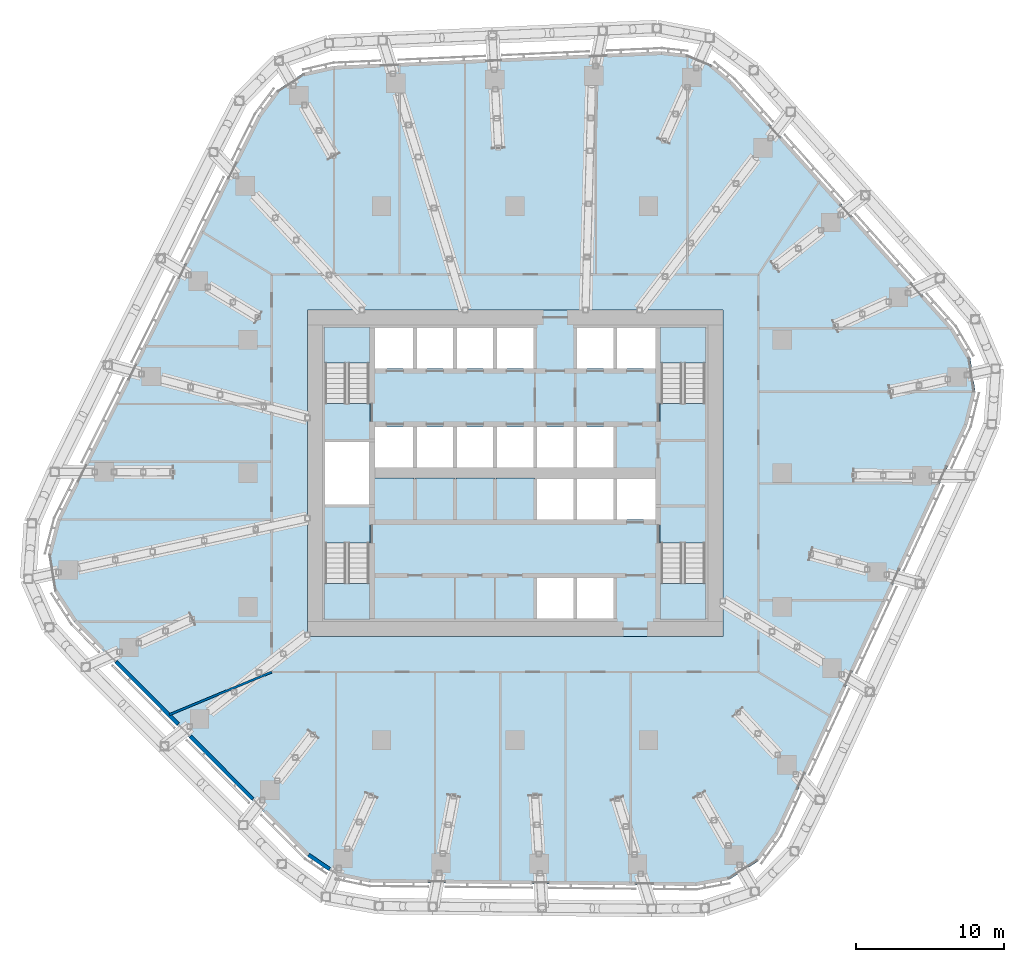
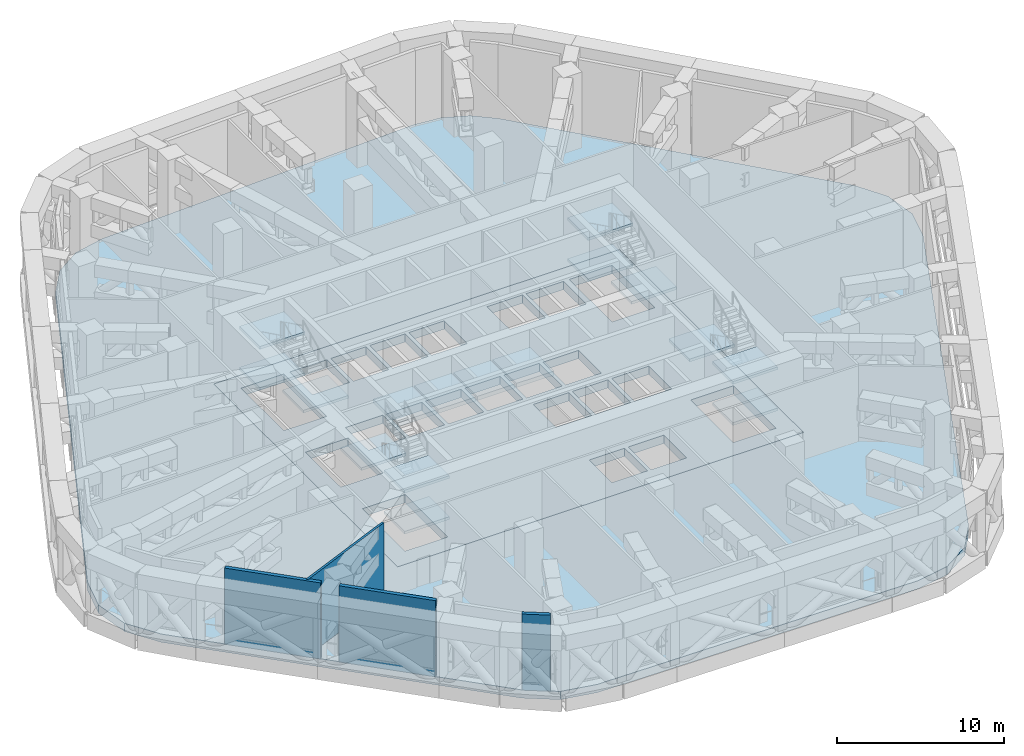
# One storey, part 15 of 30: 18 slabs, 4 walls, 4 elements without a shape of their own.
"""IFC4 building model written with IfcOpenShell, lengths in metres."""

from ifc_helpers import new_model, si_unit, direction, frame, frame_2d, origin, place, context, subcontext, project, spatial, polyline, rectangle, outline, extrude, material, layer, layer_set, type_object, element, aggregate, save


model = new_model("IFC4")

# Units and contexts
model_context = context("Model", 3, precision=1e-05, world=origin(), true_north=direction((0.0, 1.0)))
body_context = subcontext(model_context, "Body", "Model", "MODEL_VIEW")
ifc_project = project(units=[si_unit("LENGTHUNIT", "METRE"), si_unit("AREAUNIT", "SQUARE_METRE"), si_unit("VOLUMEUNIT", "CUBIC_METRE"), si_unit("PLANEANGLEUNIT", "RADIAN"), si_unit("MASSUNIT", "GRAM", prefix="KILO")], contexts=[model_context])

# Site, building, storey
site_placement = place(None, origin())
site = spatial("IfcSite", under=ifc_project, at=site_placement, CompositionType="ELEMENT")
building_placement = place(site_placement, origin())
building = spatial("IfcBuilding", under=site, at=building_placement, Name="Dongbaek Canopy Tower", CompositionType="ELEMENT")
storey_placement = place(building_placement, frame((0.0, 0.0, 145.60009765625)))
storey = spatial("IfcBuildingStorey", under=building, at=storey_placement, Name="L32", CompositionType="ELEMENT", Elevation=145.60009765625)

# Slab
ifc_material_1 = material(Name="Concrete C40/50", Category="concrete")
ifc_layer_1 = layer(ifc_material_1, 0.60009765625)
ifc_layer_set_1 = layer_set([ifc_layer_1], Name="Core floor slab 600 Concrete C40/50")
slab_type_1 = type_object("IfcSlabType", Name="Core floor slab 600 Concrete C40/50", PredefinedType="FLOOR", material=ifc_layer_set_1)
slab_1_placement = place(storey_placement, frame((0.0, 0.0, -0.60009765625)))
element("IfcSlab", 1, at=slab_1_placement, inside=storey, type_object=slab_type_1, Name="Core floor slab L32", PredefinedType="FLOOR", context=body_context, shape_type="SweptSolid", body=[
    extrude(outline(polyline([(14.0, -11.0), (14.0, 11.0), (-14.0, 11.0), (-14.0, -11.0), (14.0, -11.0)]), holes=[polyline([(-12.800048828125, 2.10009765625), (-9.85009765625, 2.10009765625), (-9.85009765625, -2.10009765625), (-12.800048828125, -2.10009765625), (-12.800048828125, 2.10009765625)]), polyline([(-6.875, 9.800048828125), (-6.875, 7.074951171875), (-9.449951171875, 7.074951171875), (-9.449951171875, 9.800048828125), (-6.875, 9.800048828125)]), polyline([(-4.175048828125, 9.800048828125), (-4.175048828125, 7.074951171875), (-6.625, 7.074951171875), (-6.625, 9.800048828125), (-4.175048828125, 9.800048828125)]), polyline([(-1.47509765625, 9.800048828125), (-1.47509765625, 7.074951171875), (-3.925048828125, 7.074951171875), (-3.925048828125, 9.800048828125), (-1.47509765625, 9.800048828125)]), polyline([(1.22509765625, 9.800048828125), (1.22509765625, 7.074951171875), (-1.22509765625, 7.074951171875), (-1.22509765625, 9.800048828125), (1.22509765625, 9.800048828125)]), polyline([(6.625, 9.800048828125), (6.625, 7.074951171875), (4.175048828125, 7.074951171875), (4.175048828125, 9.800048828125), (6.625, 9.800048828125)]), polyline([(9.449951171875, 7.074951171875), (6.875, 7.074951171875), (6.875, 9.800048828125), (9.449951171875, 9.800048828125), (9.449951171875, 7.074951171875)]), polyline([(-9.449951171875, 3.125), (-6.875, 3.125), (-6.875, 0.39990234375), (-9.449951171875, 0.39990234375), (-9.449951171875, 3.125)]), polyline([(-6.625, 3.125), (-4.175048828125, 3.125), (-4.175048828125, 0.39990234375), (-6.625, 0.39990234375), (-6.625, 3.125)]), polyline([(-3.925048828125, 3.125), (-1.47509765625, 3.125), (-1.47509765625, 0.39990234375), (-3.925048828125, 0.39990234375), (-3.925048828125, 3.125)]), polyline([(1.22509765625, 3.125), (1.22509765625, 0.39990234375), (-1.22509765625, 0.39990234375), (-1.22509765625, 3.125), (1.22509765625, 3.125)]), polyline([(1.47509765625, 3.125), (3.925048828125, 3.125), (3.925048828125, 0.39990234375), (1.47509765625, 0.39990234375), (1.47509765625, 3.125)]), polyline([(4.175048828125, 3.125), (6.625, 3.125), (6.625, 0.39990234375), (4.175048828125, 0.39990234375), (4.175048828125, 3.125)]), polyline([(1.47509765625, -0.39990234375), (3.925048828125, -0.39990234375), (3.925048828125, -3.125), (1.47509765625, -3.125), (1.47509765625, -0.39990234375)]), polyline([(4.175048828125, -0.39990234375), (6.625, -0.39990234375), (6.625, -3.125), (4.175048828125, -3.125), (4.175048828125, -0.39990234375)]), polyline([(9.449951171875, -3.125), (6.875, -3.125), (6.875, -0.39990234375), (9.449951171875, -0.39990234375), (9.449951171875, -3.125)]), polyline([(1.47509765625, -9.800048828125), (1.47509765625, -7.074951171875), (3.925048828125, -7.074951171875), (3.925048828125, -9.800048828125), (1.47509765625, -9.800048828125)]), polyline([(4.175048828125, -9.800048828125), (4.175048828125, -7.074951171875), (6.625, -7.074951171875), (6.625, -9.800048828125), (4.175048828125, -9.800048828125)]), polyline([(12.800048828125, 4.70068359375), (12.800048828125, 9.800048828125), (9.85009765625, 9.800048828125), (9.85009765625, 4.70068359375), (12.800048828125, 4.70068359375)]), polyline([(-9.85009765625, 4.70068359375), (-9.85009765625, 9.800048828125), (-12.800048828125, 9.800048828125), (-12.800048828125, 4.70068359375), (-9.85009765625, 4.70068359375)]), polyline([(9.85009765625, -4.70068359375), (9.85009765625, -9.800048828125), (12.800048828125, -9.800048828125), (12.800048828125, -4.70068359375), (9.85009765625, -4.70068359375)]), polyline([(-12.800048828125, -4.70068359375), (-12.800048828125, -9.800048828125), (-9.85009765625, -9.800048828125), (-9.85009765625, -4.70068359375), (-12.800048828125, -4.70068359375)])]), origin(), (0.0, 0.0, 1.0), 0.60009765625),
])

# Stair, slabs
ifc_material_2 = material(Name="Concrete C40/50", Category="concrete")
stair_type = type_object("IfcStairType", Name="Core exit stair", PredefinedType="HALF_TURN_STAIR", material=ifc_material_2)
stair_1_placement = place(storey_placement, origin())
stair_1 = element("IfcStair", 2, at=stair_1_placement, inside=storey, type_object=stair_type, Name="L32 exit stair A", PredefinedType="HALF_TURN_STAIR")
ifc_material_3 = material(Name="Concrete C40/50", Category="concrete")
ifc_layer_2 = layer(ifc_material_3, 0.199951171875)
ifc_layer_set_2 = layer_set([ifc_layer_2], Name="Core stair landing 200")
slab_type_2 = type_object("IfcSlabType", Name="Core stair landing 200", PredefinedType="LANDING", material=ifc_layer_set_2)
slab_2_placement = place(storey_placement, frame((0.0, 0.0, 1.2998046875)))
slab_2 = element("IfcSlab", 3, at=slab_2_placement, type_object=slab_type_2, Name="ST-A landing 1", PredefinedType="LANDING", context=body_context, shape_type="SweptSolid", body=[
    extrude(outline(polyline([(12.875, 7.419921875), (12.875, 9.875), (9.77490234375, 9.875), (9.77490234375, 7.419921875), (12.875, 7.419921875)])), origin(), (0.0, 0.0, 1.0), 0.2001953125),
])
slab_3_placement = place(storey_placement, frame((0.0, 0.0, 2.7998046875)))
slab_3 = element("IfcSlab", 4, at=slab_3_placement, type_object=slab_type_2, Name="ST-A landing 2", PredefinedType="LANDING", context=body_context, shape_type="SweptSolid", body=[
    extrude(outline(polyline([(12.875, 2.22509765625), (12.875, 4.699951171875), (9.77490234375, 4.699951171875), (9.77490234375, 2.22509765625), (12.875, 2.22509765625)])), origin(), (0.0, 0.0, 1.0), 0.2001953125),
])
slab_4_placement = place(storey_placement, frame((0.0, 0.0, 4.2998046875)))
slab_4 = element("IfcSlab", 5, at=slab_4_placement, type_object=slab_type_2, Name="ST-A landing 3", PredefinedType="LANDING", context=body_context, shape_type="SweptSolid", body=[
    extrude(outline(polyline([(12.875, 7.419921875), (12.875, 9.875), (9.77490234375, 9.875), (9.77490234375, 7.419921875), (12.875, 7.419921875)])), origin(), (0.0, 0.0, 1.0), 0.2001953125),
])
aggregate(stair_1, [slab_2, slab_3, slab_4])

stair_2_placement = place(storey_placement, origin())
stair_2 = element("IfcStair", 6, at=stair_2_placement, inside=storey, type_object=stair_type, Name="L32 exit stair C", PredefinedType="HALF_TURN_STAIR")
slab_5_placement = place(storey_placement, frame((0.0, 0.0, 1.2998046875)))
slab_5 = element("IfcSlab", 7, at=slab_5_placement, type_object=slab_type_2, Name="ST-C landing 1", PredefinedType="LANDING", context=body_context, shape_type="SweptSolid", body=[
    extrude(outline(polyline([(-9.77490234375, 7.419921875), (-9.77490234375, 9.875), (-12.875, 9.875), (-12.875, 7.419921875), (-9.77490234375, 7.419921875)])), origin(), (0.0, 0.0, 1.0), 0.2001953125),
])
slab_6_placement = place(storey_placement, frame((0.0, 0.0, 2.7998046875)))
slab_6 = element("IfcSlab", 8, at=slab_6_placement, type_object=slab_type_2, Name="ST-C landing 2", PredefinedType="LANDING", context=body_context, shape_type="SweptSolid", body=[
    extrude(outline(polyline([(-9.77490234375, 2.22509765625), (-9.77490234375, 4.699951171875), (-12.875, 4.699951171875), (-12.875, 2.22509765625), (-9.77490234375, 2.22509765625)])), origin(), (0.0, 0.0, 1.0), 0.2001953125),
])
slab_7_placement = place(storey_placement, frame((0.0, 0.0, 4.2998046875)))
slab_7 = element("IfcSlab", 9, at=slab_7_placement, type_object=slab_type_2, Name="ST-C landing 3", PredefinedType="LANDING", context=body_context, shape_type="SweptSolid", body=[
    extrude(outline(polyline([(-9.77490234375, 7.419921875), (-9.77490234375, 9.875), (-12.875, 9.875), (-12.875, 7.419921875), (-9.77490234375, 7.419921875)])), origin(), (0.0, 0.0, 1.0), 0.2001953125),
])
aggregate(stair_2, [slab_5, slab_6, slab_7])

stair_3_placement = place(storey_placement, origin())
stair_3 = element("IfcStair", 10, at=stair_3_placement, inside=storey, type_object=stair_type, Name="L32 exit stair B", PredefinedType="HALF_TURN_STAIR")
slab_8_placement = place(storey_placement, frame((0.0, 0.0, 1.2998046875)))
slab_8 = element("IfcSlab", 11, at=slab_8_placement, type_object=slab_type_2, Name="ST-B landing 1", PredefinedType="LANDING", context=body_context, shape_type="SweptSolid", body=[
    extrude(outline(polyline([(9.77490234375, -7.419921875), (9.77490234375, -9.875), (12.875, -9.875), (12.875, -7.419921875), (9.77490234375, -7.419921875)])), origin(), (0.0, 0.0, 1.0), 0.2001953125),
])
slab_9_placement = place(storey_placement, frame((0.0, 0.0, 2.7998046875)))
slab_9 = element("IfcSlab", 12, at=slab_9_placement, type_object=slab_type_2, Name="ST-B landing 2", PredefinedType="LANDING", context=body_context, shape_type="SweptSolid", body=[
    extrude(outline(polyline([(9.77490234375, -2.22509765625), (9.77490234375, -4.699951171875), (12.875, -4.699951171875), (12.875, -2.22509765625), (9.77490234375, -2.22509765625)])), origin(), (0.0, 0.0, 1.0), 0.2001953125),
])
slab_10_placement = place(storey_placement, frame((0.0, 0.0, 4.2998046875)))
slab_10 = element("IfcSlab", 13, at=slab_10_placement, type_object=slab_type_2, Name="ST-B landing 3", PredefinedType="LANDING", context=body_context, shape_type="SweptSolid", body=[
    extrude(outline(polyline([(9.77490234375, -7.419921875), (9.77490234375, -9.875), (12.875, -9.875), (12.875, -7.419921875), (9.77490234375, -7.419921875)])), origin(), (0.0, 0.0, 1.0), 0.2001953125),
])
aggregate(stair_3, [slab_8, slab_9, slab_10])

stair_4_placement = place(storey_placement, origin())
stair_4 = element("IfcStair", 14, at=stair_4_placement, inside=storey, type_object=stair_type, Name="L32 exit stair D", PredefinedType="HALF_TURN_STAIR")
slab_11_placement = place(storey_placement, frame((0.0, 0.0, 1.2998046875)))
slab_11 = element("IfcSlab", 15, at=slab_11_placement, type_object=slab_type_2, Name="ST-D landing 1", PredefinedType="LANDING", context=body_context, shape_type="SweptSolid", body=[
    extrude(outline(polyline([(-12.875, -7.419921875), (-12.875, -9.875), (-9.77490234375, -9.875), (-9.77490234375, -7.419921875), (-12.875, -7.419921875)])), origin(), (0.0, 0.0, 1.0), 0.2001953125),
])
slab_12_placement = place(storey_placement, frame((0.0, 0.0, 2.7998046875)))
slab_12 = element("IfcSlab", 16, at=slab_12_placement, type_object=slab_type_2, Name="ST-D landing 2", PredefinedType="LANDING", context=body_context, shape_type="SweptSolid", body=[
    extrude(outline(polyline([(-12.875, -2.22509765625), (-12.875, -4.699951171875), (-9.77490234375, -4.699951171875), (-9.77490234375, -2.22509765625), (-12.875, -2.22509765625)])), origin(), (0.0, 0.0, 1.0), 0.2001953125),
])
slab_13_placement = place(storey_placement, frame((0.0, 0.0, 4.2998046875)))
slab_13 = element("IfcSlab", 17, at=slab_13_placement, type_object=slab_type_2, Name="ST-D landing 3", PredefinedType="LANDING", context=body_context, shape_type="SweptSolid", body=[
    extrude(outline(polyline([(-12.875, -7.419921875), (-12.875, -9.875), (-9.77490234375, -9.875), (-9.77490234375, -7.419921875), (-12.875, -7.419921875)])), origin(), (0.0, 0.0, 1.0), 0.2001953125),
])
aggregate(stair_4, [slab_11, slab_12, slab_13])

# Slabs
ifc_material_4 = material(Name="Concrete C40/50", Category="concrete")
ifc_layer_3 = layer(ifc_material_4, 0.300048828125)
ifc_layer_set_3 = layer_set([ifc_layer_3], Name="Lift pit slab 300 Concrete C40/50")
slab_type_3 = type_object("IfcSlabType", Name="Lift pit slab 300 Concrete C40/50", PredefinedType="BASESLAB", material=ifc_layer_set_3)
slab_14_placement = place(storey_placement, frame((0.0, 0.0, 3.89990234375)))
element("IfcSlab", 18, at=slab_14_placement, inside=storey, type_object=slab_type_3, Name="Lift MR1 pit slab", PredefinedType="BASESLAB", context=body_context, shape_type="SweptSolid", body=[
    extrude(outline(polyline([(-9.52490234375, -0.324951171875), (-6.800048828125, -0.324951171875), (-6.800048828125, -3.199951171875), (-9.52490234375, -3.199951171875), (-9.52490234375, -0.324951171875)])), origin(), (0.0, 0.0, 1.0), 0.300048828125),
])
slab_15_placement = place(storey_placement, frame((0.0, 0.0, 3.89990234375)))
element("IfcSlab", 19, at=slab_15_placement, inside=storey, type_object=slab_type_3, Name="Lift MR2 pit slab", PredefinedType="BASESLAB", context=body_context, shape_type="SweptSolid", body=[
    extrude(outline(polyline([(-6.699951171875, -0.324951171875), (-4.10009765625, -0.324951171875), (-4.10009765625, -3.199951171875), (-6.699951171875, -3.199951171875), (-6.699951171875, -0.324951171875)])), origin(), (0.0, 0.0, 1.0), 0.300048828125),
])
slab_16_placement = place(storey_placement, frame((0.0, 0.0, 3.89990234375)))
element("IfcSlab", 20, at=slab_16_placement, inside=storey, type_object=slab_type_3, Name="Lift MR3 pit slab", PredefinedType="BASESLAB", context=body_context, shape_type="SweptSolid", body=[
    extrude(outline(polyline([(-4.0, -0.324951171875), (-1.39990234375, -0.324951171875), (-1.39990234375, -3.199951171875), (-4.0, -3.199951171875), (-4.0, -0.324951171875)])), origin(), (0.0, 0.0, 1.0), 0.300048828125),
])
slab_17_placement = place(storey_placement, frame((0.0, 0.0, 3.89990234375)))
element("IfcSlab", 21, at=slab_17_placement, inside=storey, type_object=slab_type_3, Name="Lift MR4 pit slab", PredefinedType="BASESLAB", context=body_context, shape_type="SweptSolid", body=[
    extrude(outline(polyline([(-1.300048828125, -0.324951171875), (1.300048828125, -0.324951171875), (1.300048828125, -3.199951171875), (-1.300048828125, -3.199951171875), (-1.300048828125, -0.324951171875)])), origin(), (0.0, 0.0, 1.0), 0.300048828125),
])
ifc_material_5 = material(Name="Concrete C40", Category="concrete")
ifc_layer_4 = layer(ifc_material_5, 0.60009765625)
ifc_layer_set_4 = layer_set([ifc_layer_4], Name="RC PLANT FLOOR SLAB 600 Concrete C40")
slab_type_4 = type_object("IfcSlabType", Name="RC PLANT FLOOR SLAB 600 Concrete C40", PredefinedType="FLOOR", material=ifc_layer_set_4)
slab_18_placement = place(storey_placement, frame((0.0, 0.0, -0.60009765625)))
element("IfcSlab", 22, at=slab_18_placement, inside=storey, type_object=slab_type_4, Name="SLAB:L32", PredefinedType="FLOOR", context=body_context, shape_type="SweptSolid", body=[
    extrude(outline(polyline([(17.701904296875, -24.320068359375), (16.367431640625, -26.169677734375), (14.43896484375, -27.3876953125), (12.1953125, -27.7978515625), (-9.8076171875, -27.56884765625), (-12.075439453125, -27.098388671875), (-13.99609375, -25.8037109375), (-29.72509765625, -10.01318359375), (-31.0712890625, -7.94091796875), (-31.468017578125, -5.50146484375), (-30.84765625, -3.109375), (-17.32373046875, 24.1123046875), (-16.060302734375, 25.81396484375), (-14.283935546875, 26.97021484375), (-12.216552734375, 27.436767578125), (9.86669921875, 28.417236328125), (11.62158203125, 28.235595703125), (13.247802734375, 27.55126953125), (14.604736328125, 26.423583984375), (29.5009765625, 9.771240234375), (30.681884765625, 7.78271484375), (31.022705078125, 5.495361328125), (30.473388671875, 3.2490234375), (17.701904296875, -24.320068359375)]), holes=[polyline([(14.0, 11.0), (-14.0, 11.0), (-14.0, -11.0), (14.0, -11.0), (14.0, 11.0)])]), origin(), (0.0, 0.0, 1.0), 0.60009765625),
])

# Walls
ifc_material_6 = material(Name="Gypsum board partition, steel stud, 2 x 15 mm fire board", Category="steel")
ifc_layer_5 = layer(ifc_material_6, 0.14990234375)
ifc_layer_set_5 = layer_set([ifc_layer_5], Name="Fire-rated partition 150 gypsum board")
wall_type_1 = type_object("IfcWallType", Name="Fire-rated partition 150 gypsum board", PredefinedType="PARTITIONING", material=ifc_layer_set_5)
wall_1_placement = place(storey_placement, frame((-23.31396484375, -16.279296875, 0.0), z_axis=(0.0, 0.0, 1.0), x_axis=(0.923146345378, 0.384448728721, 0.0)))
element("IfcWall", 23, at=wall_1_placement, inside=storey, type_object=wall_type_1, Name="Corridor partition", PredefinedType="PARTITIONING", context=body_context, shape_type="SweptSolid", body=[
    extrude(rectangle(XDim=7.48974609375, YDim=0.14990234375, at=frame_2d((3.744873046875, 0.0))), origin(), (0.0, 0.0, 1.0), 5.5498046875),
])
ifc_material_7 = material(Name="Pale metal cladding on insulated wall")
ifc_layer_6 = layer(ifc_material_7, 0.25)
ifc_layer_set_6 = layer_set([ifc_layer_6], Name="Plant floor wall 250")
wall_type_2 = type_object("IfcWallType", Name="Plant floor wall 250", PredefinedType="SOLIDWALL", material=ifc_layer_set_6)
wall_2_placement = place(storey_placement, frame((-26.90234375, -12.705322265625, 0.0), z_axis=(0.0, 0.0, 1.0), x_axis=(0.705729391129, -0.708481493405, 0.0)))
element("IfcWall", 24, at=wall_2_placement, inside=storey, type_object=wall_type_2, Name="Plant wall L32 F3 2", PredefinedType="SOLIDWALL", context=body_context, shape_type="SweptSolid", body=[
    extrude(rectangle(XDim=5.943603515625, YDim=0.25, at=frame_2d((2.9716796875, 0.0))), origin(), (0.0, 0.0, 1.0), 5.5498046875),
])
wall_3_placement = place(storey_placement, frame((-21.894775390625, -17.732666015625, 0.0), z_axis=(0.0, 0.0, 1.0), x_axis=(0.705736561779, -0.708474350537, 0.0)))
element("IfcWall", 25, at=wall_3_placement, inside=storey, type_object=wall_type_2, Name="Plant wall L32 F3 3", PredefinedType="SOLIDWALL", context=body_context, shape_type="SweptSolid", body=[
    extrude(rectangle(XDim=5.974609375, YDim=0.25, at=frame_2d((2.9873046875, 0.0))), origin(), (0.0, 0.0, 1.0), 5.5498046875),
])
wall_4_placement = place(storey_placement, frame((-13.93212890625, -25.72607421875, 0.0), z_axis=(0.0, 0.0, 1.0), x_axis=(0.829187406064, -0.558970701938, 0.0)))
element("IfcWall", 26, at=wall_4_placement, inside=storey, type_object=wall_type_2, Name="Plant wall L32 K4 1", PredefinedType="SOLIDWALL", context=body_context, shape_type="SweptSolid", body=[
    extrude(rectangle(XDim=1.712158203125, YDim=0.25, at=frame_2d((0.85595703125, 0.0))), origin(), (0.0, 0.0, 1.0), 5.5498046875),
])

save(model, "model.ifc")
